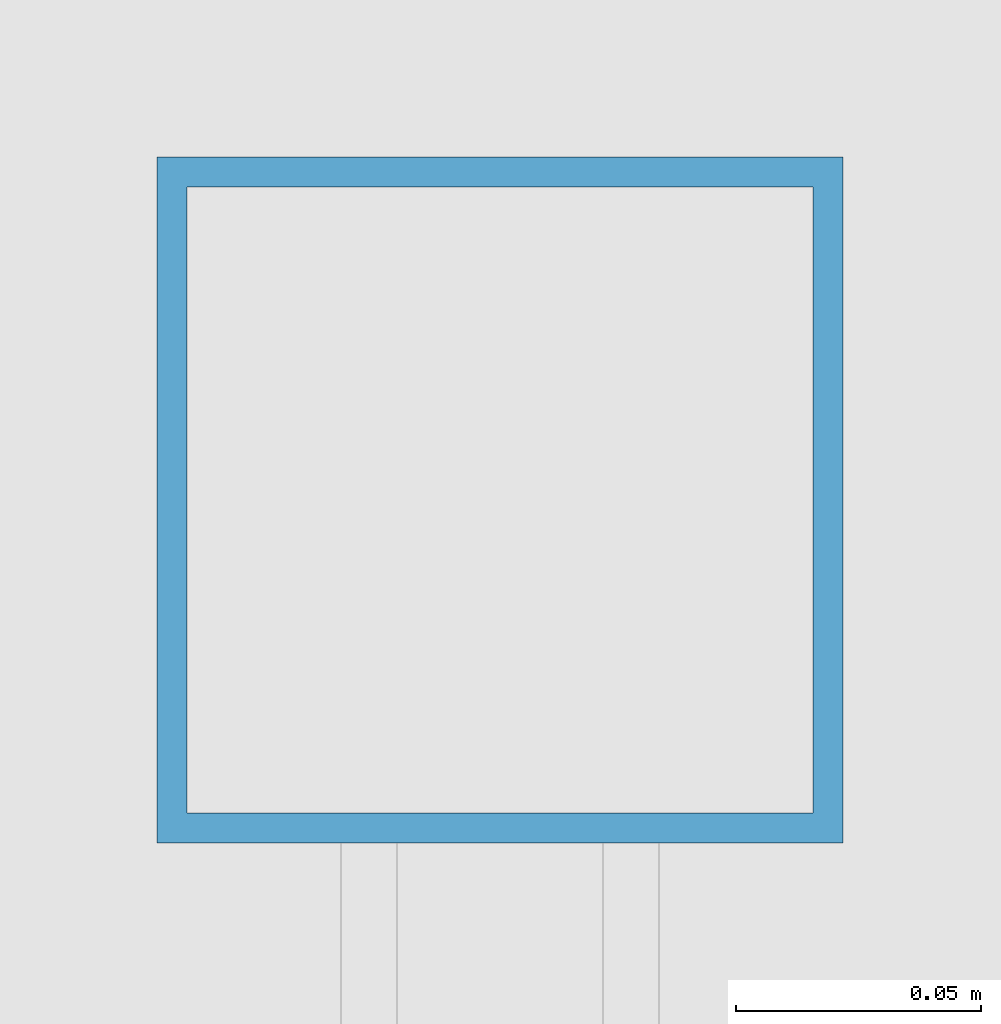
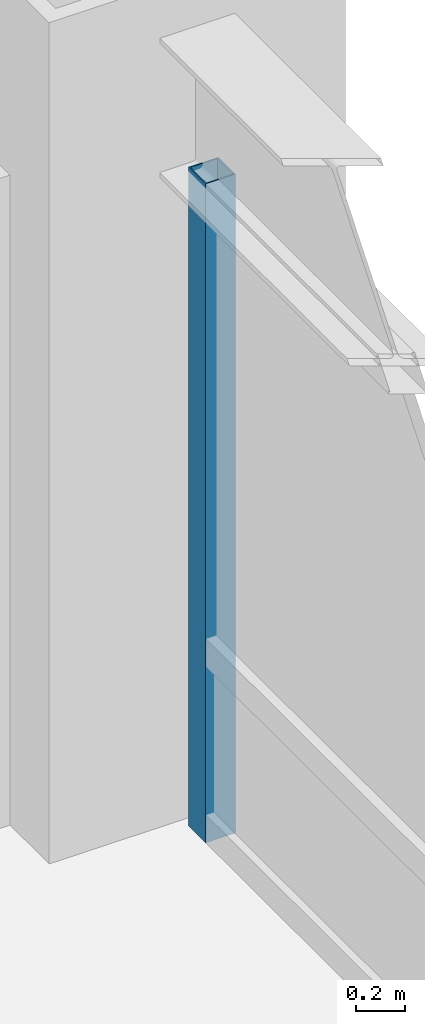
# One storey, part 16 of 32: 1 member, 1 element without a shape of its own.
"""IFC4 building model written with IfcOpenShell, lengths in metres."""

from ifc_helpers import new_model, si_unit, direction, frame, origin, origin_2d, place, context, subcontext, project, spatial, hollow_rectangle, extrude, source, transform, mapped, material, material_profile, profile_set, type_object, element, aggregate, save


model = new_model("IFC4")

# Units and contexts
model_context = context("Model", 3, precision=1e-05, world=origin(), true_north=direction((0.0, 1.0)))
body_context = subcontext(model_context, "Body", "Model", "MODEL_VIEW")
ifc_project = project(units=[si_unit("LENGTHUNIT", "METRE"), si_unit("AREAUNIT", "SQUARE_METRE"), si_unit("VOLUMEUNIT", "CUBIC_METRE"), si_unit("PLANEANGLEUNIT", "RADIAN"), si_unit("MASSUNIT", "GRAM", prefix="KILO")], contexts=[model_context])

# Site, building, storey
site_placement = place(None, origin())
site = spatial("IfcSite", under=ifc_project, at=site_placement, CompositionType="ELEMENT")
building_placement = place(site_placement, origin())
building = spatial("IfcBuilding", under=site, at=building_placement, Name="Khorayat Bourse Tower", CompositionType="ELEMENT")
storey_placement = place(building_placement, frame((0.0, 0.0, 70.39990234375)))
storey = spatial("IfcBuildingStorey", under=building, at=storey_placement, Name="L15", CompositionType="ELEMENT", Elevation=70.39990234375)

# Curtain wall, member
ifc_material = material(Name="Aluminium EN AW-6063 T6", Category="aluminium")
curtain_wall_type = type_object("IfcCurtainWallType", Name="CW-SYS-02", PredefinedType="NOTDEFINED", material=ifc_material)
curtain_wall_placement = place(storey_placement, origin())
curtain_wall = element("IfcCurtainWall", 1, at=curtain_wall_placement, inside=storey, type_object=curtain_wall_type, Name="L15 Curtain Wall CW-L15-E1", PredefinedType="NOTDEFINED")
ifc_material_profile = material_profile(ifc_material, hollow_rectangle(XDim=0.139892578125, YDim=0.139892578125, WallThickness=0.006103515625, at=origin_2d()), Name="ALU 140x140x6")
ifc_profile_set = profile_set([ifc_material_profile], Name="Aluminium EN AW-6063 T6")
member_type = type_object("IfcMemberType", Name="CWM-VERT-140", PredefinedType="MULLION", material=ifc_profile_set)
shared_shape = source(origin(), body_context, "Body", "SweptSolid", [
    extrude(hollow_rectangle(XDim=0.139892578125, YDim=0.139892578125, WallThickness=0.006103515625, at=origin_2d()), origin(), (0.0, 0.0, 1.0), 3.2900390625),
])
member_placement = place(storey_placement, frame((32.0, 27.679931640625, 0.0), z_axis=(0.0, 0.0, 1.0), x_axis=(-1.0, 0.0, 0.0)))
member = element("IfcMember", 2, at=member_placement, type_object=member_type, Name="CW-L15-E1 Vertical Mullion 3", PredefinedType="MULLION", context=body_context, shape_type="MappedRepresentation", body=[
    mapped(shared_shape, transform((0.0, 0.0, 0.0), scale=1.0)),
])
aggregate(curtain_wall, [member])

save(model, "model.ifc")
